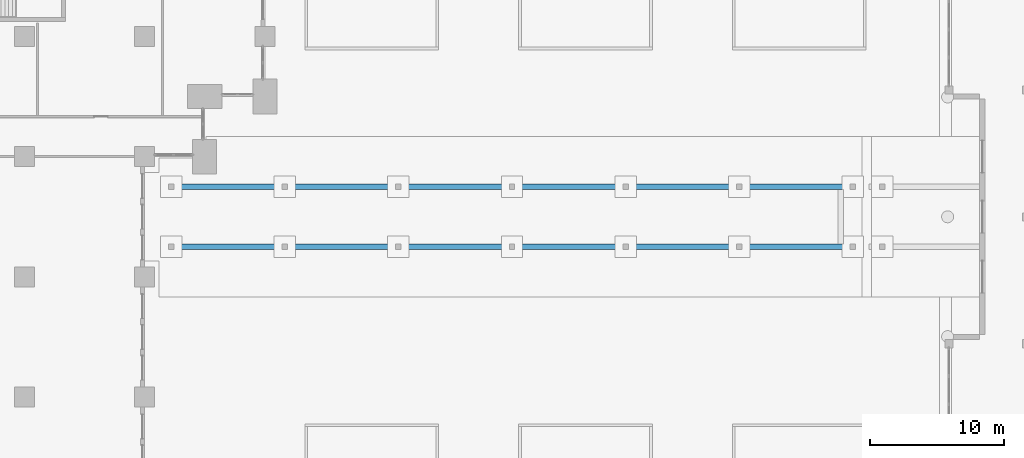
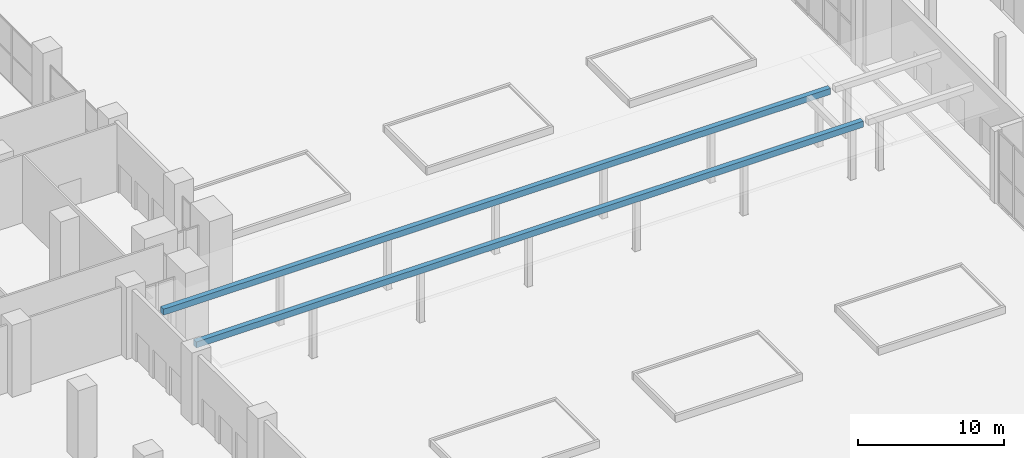
# One storey, part 5 of 47: 2 beams.
"""IFC4 building model written with IfcOpenShell, lengths in metres."""

from ifc_helpers import new_model, si_unit, direction, frame, origin, origin_2d, place, context, subcontext, project, spatial, rectangle, extrude, material, material_profile, profile_set, type_object, element, save


model = new_model("IFC4")

# Units and contexts
model_context = context("Model", 3, precision=1e-05, world=origin(), true_north=direction((0.0, 1.0)))
body_context = subcontext(model_context, "Body", "Model", "MODEL_VIEW")
ifc_project = project(units=[si_unit("LENGTHUNIT", "METRE"), si_unit("AREAUNIT", "SQUARE_METRE"), si_unit("VOLUMEUNIT", "CUBIC_METRE"), si_unit("PLANEANGLEUNIT", "RADIAN"), si_unit("MASSUNIT", "GRAM", prefix="KILO")], contexts=[model_context])

# Site, building, storey
site_placement = place(None, origin())
site = spatial("IfcSite", under=ifc_project, at=site_placement, CompositionType="ELEMENT")
building_placement = place(site_placement, origin())
building = spatial("IfcBuilding", under=site, at=building_placement, Name="Hunhe Ridgeline Campus", CompositionType="ELEMENT")
storey_placement = place(building_placement, origin())
storey = spatial("IfcBuildingStorey", under=building, at=storey_placement, Name="L00", CompositionType="ELEMENT", Elevation=0.0)

# Beams
ifc_material = material(Name="Concrete C40", Category="concrete")
ifc_material_profile = material_profile(ifc_material, rectangle(XDim=0.39990234375, YDim=0.5, at=origin_2d()))
ifc_profile_set = profile_set([ifc_material_profile], Name="Concrete C40")
beam_type = type_object("IfcBeamType", Name="Canopy RC edge beam 400x500 C40", PredefinedType="BEAM", material=ifc_profile_set)
for number, where, z_axis, x_axis, name in (
    (1, (91.199951171875, 47.25, 4.300048828125), (1.0, 0.0, 0.0), (0.0, 1.0, 0.0), "Canopy edge beam 1"),
    (2, (91.199951171875, 51.75, 4.300048828125), (1.0, 0.0, 0.0), (0.0, 1.0, 0.0), "Canopy edge beam 2"),
):
    element("IfcBeam", number, at=place(storey_placement, frame(where, z_axis=z_axis, x_axis=x_axis)), inside=storey, type_object=beam_type, Name=name, PredefinedType="BEAM", context=body_context, shape_type="SweptSolid", body=[
        extrude(rectangle(XDim=0.39990234375, YDim=0.5, at=origin_2d()), origin(), (0.0, 0.0, 1.0), 52.60009765625),
    ])

save(model, "model.ifc")
